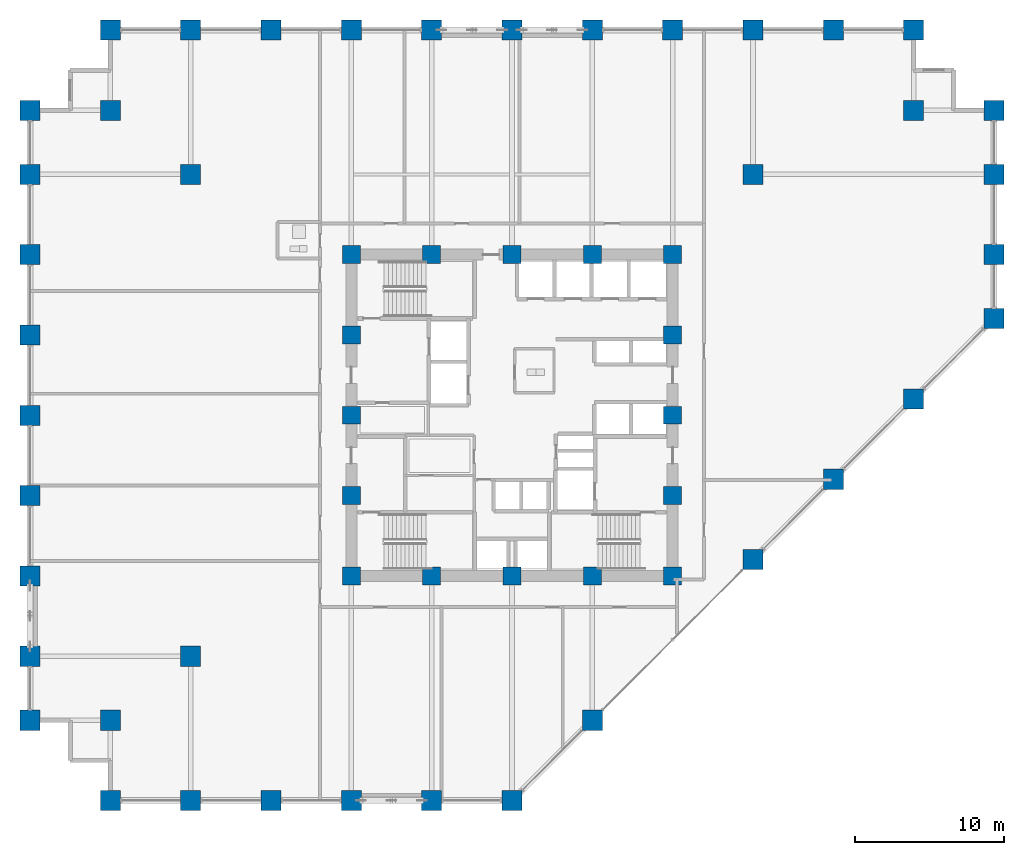
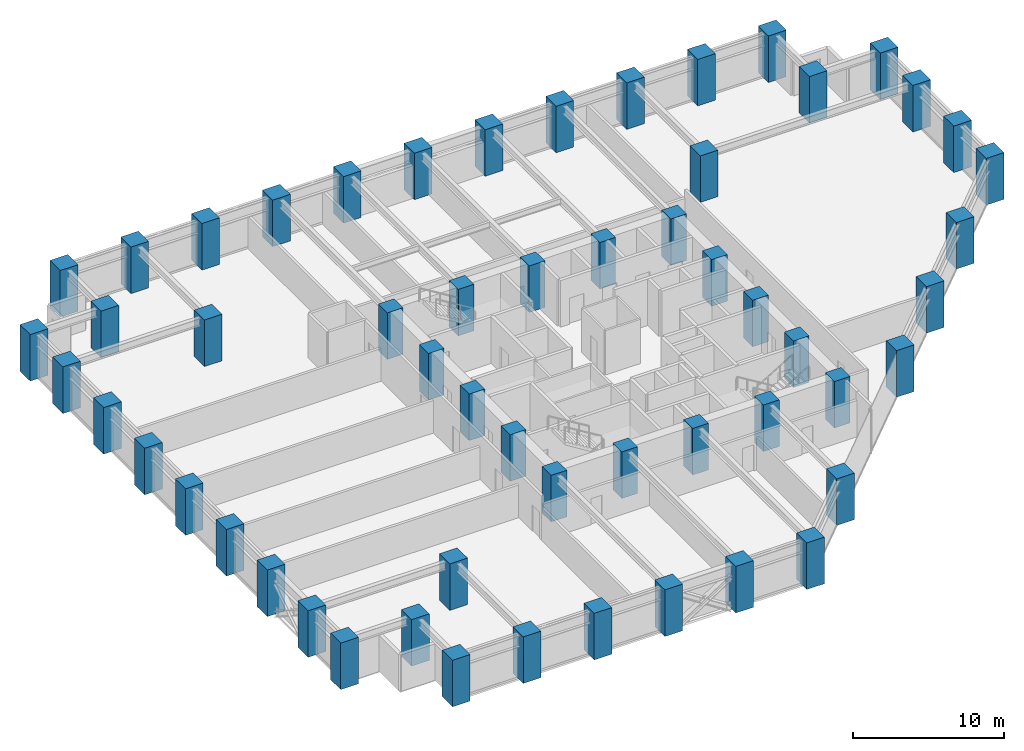
# One storey, part 1 of 24: 56 columns.
"""IFC4 building model written with IfcOpenShell, lengths in metres."""

from ifc_helpers import new_model, si_unit, direction, frame, origin, origin_2d, place, context, subcontext, project, spatial, rectangle, extrude, material, material_profile, profile_set, type_object, element, save


model = new_model("IFC4")

# Units and contexts
model_context = context("Model", 3, precision=1e-05, world=origin(), true_north=direction((0.0, 1.0)))
body_context = subcontext(model_context, "Body", "Model", "MODEL_VIEW")
ifc_project = project(units=[si_unit("LENGTHUNIT", "METRE"), si_unit("AREAUNIT", "SQUARE_METRE"), si_unit("VOLUMEUNIT", "CUBIC_METRE"), si_unit("PLANEANGLEUNIT", "RADIAN"), si_unit("MASSUNIT", "GRAM", prefix="KILO")], contexts=[model_context])

# Site, building, storey
site_placement = place(None, origin())
site = spatial("IfcSite", under=ifc_project, at=site_placement, CompositionType="ELEMENT")
building_placement = place(site_placement, origin())
building = spatial("IfcBuilding", under=site, at=building_placement, Name="Surkhivell Harbour Commons", CompositionType="ELEMENT")
storey_placement = place(building_placement, frame((0.0, 0.0, 30.0)))
storey = spatial("IfcBuildingStorey", under=building, at=storey_placement, Name="L07", CompositionType="ELEMENT", Elevation=30.0)

# Columns
ifc_material = material(Name="Concrete C80/95", Category="concrete")
ifc_material_profile_1 = material_profile(ifc_material, rectangle(XDim=1.35009765625, YDim=1.35009765625, at=origin_2d()), Name="RC-COL-1350x1350")
ifc_profile_set_1 = profile_set([ifc_material_profile_1], Name="Concrete C80/95")
column_type_1 = type_object("IfcColumnType", Name="COL-TUBE-Z1A", PredefinedType="COLUMN", material=ifc_profile_set_1)
for number, where, z_axis, x_axis, name in (
    (1, (-32.39990234375, -20.5, 0.0), (0.0, 0.0, 1.0), (1.0, 0.0, 0.0), "L07 Column CT-1A (-32.4,-20.5)"),
    (2, (-32.39990234375, -16.199951171875, 0.0), (0.0, 0.0, 1.0), (1.0, 0.0, 0.0), "L07 Column CT-1A (-32.4,-16.2)"),
    (3, (-32.39990234375, -10.800048828125, 0.0), (0.0, 0.0, 1.0), (1.0, 0.0, 0.0), "L07 Column CT-1A (-32.4,-10.8)"),
    (4, (-32.39990234375, -5.39990234375, 0.0), (0.0, 0.0, 1.0), (1.0, 0.0, 0.0), "L07 Column CT-1A (-32.4,-5.4)"),
    (5, (-32.39990234375, 0.0, 0.0), (0.0, 0.0, 1.0), (1.0, 0.0, 0.0), "L07 Column CT-1A (-32.4,0.0)"),
    (6, (-32.39990234375, 5.39990234375, 0.0), (0.0, 0.0, 1.0), (1.0, 0.0, 0.0), "L07 Column CT-1A (-32.4,5.4)"),
    (7, (-32.39990234375, 10.800048828125, 0.0), (0.0, 0.0, 1.0), (1.0, 0.0, 0.0), "L07 Column CT-1A (-32.4,10.8)"),
    (8, (-32.39990234375, 16.199951171875, 0.0), (0.0, 0.0, 1.0), (1.0, 0.0, 0.0), "L07 Column CT-1A (-32.4,16.2)"),
    (9, (-32.39990234375, 20.5, 0.0), (0.0, 0.0, 1.0), (1.0, 0.0, 0.0), "L07 Column CT-1A (-32.4,20.5)"),
    (10, (-27.0, -25.89990234375, 0.0), (0.0, 0.0, 1.0), (1.0, 0.0, 0.0), "L07 Column CT-1A (-27.0,-25.9)"),
    (11, (-27.0, -20.5, 0.0), (0.0, 0.0, 1.0), (1.0, 0.0, 0.0), "L07 Column CT-1A (-27.0,-20.5)"),
    (12, (-27.0, 20.5, 0.0), (0.0, 0.0, 1.0), (1.0, 0.0, 0.0), "L07 Column CT-1A (-27.0,20.5)"),
    (13, (-27.0, 25.89990234375, 0.0), (0.0, 0.0, 1.0), (1.0, 0.0, 0.0), "L07 Column CT-1A (-27.0,25.9)"),
    (14, (-21.60009765625, -25.89990234375, 0.0), (0.0, 0.0, 1.0), (1.0, 0.0, 0.0), "L07 Column CT-1A (-21.6,-25.9)"),
    (15, (-21.60009765625, -16.199951171875, 0.0), (0.0, 0.0, 1.0), (1.0, 0.0, 0.0), "L07 Column CT-1A (-21.6,-16.2)"),
    (16, (-21.60009765625, 16.199951171875, 0.0), (0.0, 0.0, 1.0), (1.0, 0.0, 0.0), "L07 Column CT-1A (-21.6,16.2)"),
    (17, (-21.60009765625, 25.89990234375, 0.0), (0.0, 0.0, 1.0), (1.0, 0.0, 0.0), "L07 Column CT-1A (-21.6,25.9)"),
    (18, (-16.199951171875, -25.89990234375, 0.0), (0.0, 0.0, 1.0), (1.0, 0.0, 0.0), "L07 Column CT-1A (-16.2,-25.9)"),
    (19, (-16.199951171875, 25.89990234375, 0.0), (0.0, 0.0, 1.0), (1.0, 0.0, 0.0), "L07 Column CT-1A (-16.2,25.9)"),
    (20, (-10.800048828125, -25.89990234375, 0.0), (0.0, 0.0, 1.0), (1.0, 0.0, 0.0), "L07 Column CT-1A (-10.8,-25.9)"),
    (21, (-10.800048828125, 25.89990234375, 0.0), (0.0, 0.0, 1.0), (1.0, 0.0, 0.0), "L07 Column CT-1A (-10.8,25.9)"),
    (22, (-5.39990234375, -25.89990234375, 0.0), (0.0, 0.0, 1.0), (1.0, 0.0, 0.0), "L07 Column CT-1A (-5.4,-25.9)"),
    (23, (-5.39990234375, 25.89990234375, 0.0), (0.0, 0.0, 1.0), (1.0, 0.0, 0.0), "L07 Column CT-1A (-5.4,25.9)"),
    (24, (0.0, -25.89990234375, 0.0), (0.0, 0.0, 1.0), (1.0, 0.0, 0.0), "L07 Column CT-1A (-0.0,-25.9)"),
    (25, (0.0, 25.89990234375, 0.0), (0.0, 0.0, 1.0), (1.0, 0.0, 0.0), "L07 Column CT-1A (-0.0,25.9)"),
    (26, (5.39990234375, -20.5, 0.0), (0.0, 0.0, 1.0), (1.0, 0.0, 0.0), "L07 Column CT-1A (5.4,-20.5)"),
    (27, (5.39990234375, 25.89990234375, 0.0), (0.0, 0.0, 1.0), (1.0, 0.0, 0.0), "L07 Column CT-1A (5.4,25.9)"),
    (28, (10.800048828125, 25.89990234375, 0.0), (0.0, 0.0, 1.0), (1.0, 0.0, 0.0), "L07 Column CT-1A (10.8,25.9)"),
    (29, (16.199951171875, -9.699951171875, 0.0), (0.0, 0.0, 1.0), (1.0, 0.0, 0.0), "L07 Column CT-1A (16.2,-9.7)"),
    (30, (16.199951171875, 16.199951171875, 0.0), (0.0, 0.0, 1.0), (1.0, 0.0, 0.0), "L07 Column CT-1A (16.2,16.2)"),
    (31, (16.199951171875, 25.89990234375, 0.0), (0.0, 0.0, 1.0), (1.0, 0.0, 0.0), "L07 Column CT-1A (16.2,25.9)"),
    (32, (21.60009765625, -4.300048828125, 0.0), (0.0, 0.0, 1.0), (1.0, 0.0, 0.0), "L07 Column CT-1A (21.6,-4.3)"),
    (33, (21.60009765625, 25.89990234375, 0.0), (0.0, 0.0, 1.0), (1.0, 0.0, 0.0), "L07 Column CT-1A (21.6,25.9)"),
    (34, (27.0, 1.10009765625, 0.0), (0.0, 0.0, 1.0), (1.0, 0.0, 0.0), "L07 Column CT-1A (27.0,1.1)"),
    (35, (27.0, 20.5, 0.0), (0.0, 0.0, 1.0), (1.0, 0.0, 0.0), "L07 Column CT-1A (27.0,20.5)"),
    (36, (27.0, 25.89990234375, 0.0), (0.0, 0.0, 1.0), (1.0, 0.0, 0.0), "L07 Column CT-1A (27.0,25.9)"),
    (37, (32.39990234375, 6.5, 0.0), (0.0, 0.0, 1.0), (1.0, 0.0, 0.0), "L07 Column CT-1A (32.4,6.5)"),
    (38, (32.39990234375, 10.800048828125, 0.0), (0.0, 0.0, 1.0), (1.0, 0.0, 0.0), "L07 Column CT-1A (32.4,10.8)"),
    (39, (32.39990234375, 16.199951171875, 0.0), (0.0, 0.0, 1.0), (1.0, 0.0, 0.0), "L07 Column CT-1A (32.4,16.2)"),
    (40, (32.39990234375, 20.5, 0.0), (0.0, 0.0, 1.0), (1.0, 0.0, 0.0), "L07 Column CT-1A (32.4,20.5)"),
):
    element("IfcColumn", number, at=place(storey_placement, frame(where, z_axis=z_axis, x_axis=x_axis)), inside=storey, type_object=column_type_1, Name=name, PredefinedType="COLUMN", context=body_context, shape_type="SweptSolid", body=[
        extrude(rectangle(XDim=1.35009765625, YDim=1.35009765625, at=origin_2d()), origin(), (0.0, 0.0, 1.0), 3.75),
    ])
ifc_material_profile_2 = material_profile(ifc_material, rectangle(XDim=1.199951171875, YDim=1.199951171875, at=origin_2d()), Name="RC-COL-1200x1200")
ifc_profile_set_2 = profile_set([ifc_material_profile_2], Name="Concrete C80/95")
column_type_2 = type_object("IfcColumnType", Name="COL-TUBE-Z1B", PredefinedType="COLUMN", material=ifc_profile_set_2)
for number, where, z_axis, x_axis, name in (
    (41, (-10.800048828125, -10.800048828125, 0.0), (0.0, 0.0, 1.0), (1.0, 0.0, 0.0), "L07 Column CT-1B (-10.8,-10.8)"),
    (42, (-10.800048828125, -5.39990234375, 0.0), (0.0, 0.0, 1.0), (1.0, 0.0, 0.0), "L07 Column CT-1B (-10.8,-5.4)"),
    (43, (-10.800048828125, 0.0, 0.0), (0.0, 0.0, 1.0), (1.0, 0.0, 0.0), "L07 Column CT-1B (-10.8,0.0)"),
    (44, (-10.800048828125, 5.39990234375, 0.0), (0.0, 0.0, 1.0), (1.0, 0.0, 0.0), "L07 Column CT-1B (-10.8,5.4)"),
    (45, (-10.800048828125, 10.800048828125, 0.0), (0.0, 0.0, 1.0), (1.0, 0.0, 0.0), "L07 Column CT-1B (-10.8,10.8)"),
    (46, (-5.39990234375, -10.800048828125, 0.0), (0.0, 0.0, 1.0), (1.0, 0.0, 0.0), "L07 Column CT-1B (-5.4,-10.8)"),
    (47, (-5.39990234375, 10.800048828125, 0.0), (0.0, 0.0, 1.0), (1.0, 0.0, 0.0), "L07 Column CT-1B (-5.4,10.8)"),
    (48, (0.0, -10.800048828125, 0.0), (0.0, 0.0, 1.0), (1.0, 0.0, 0.0), "L07 Column CT-1B (0.0,-10.8)"),
    (49, (0.0, 10.800048828125, 0.0), (0.0, 0.0, 1.0), (1.0, 0.0, 0.0), "L07 Column CT-1B (0.0,10.8)"),
    (50, (5.39990234375, -10.800048828125, 0.0), (0.0, 0.0, 1.0), (1.0, 0.0, 0.0), "L07 Column CT-1B (5.4,-10.8)"),
    (51, (5.39990234375, 10.800048828125, 0.0), (0.0, 0.0, 1.0), (1.0, 0.0, 0.0), "L07 Column CT-1B (5.4,10.8)"),
    (52, (10.800048828125, -10.800048828125, 0.0), (0.0, 0.0, 1.0), (1.0, 0.0, 0.0), "L07 Column CT-1B (10.8,-10.8)"),
    (53, (10.800048828125, -5.39990234375, 0.0), (0.0, 0.0, 1.0), (1.0, 0.0, 0.0), "L07 Column CT-1B (10.8,-5.4)"),
    (54, (10.800048828125, 0.0, 0.0), (0.0, 0.0, 1.0), (1.0, 0.0, 0.0), "L07 Column CT-1B (10.8,0.0)"),
    (55, (10.800048828125, 5.39990234375, 0.0), (0.0, 0.0, 1.0), (1.0, 0.0, 0.0), "L07 Column CT-1B (10.8,5.4)"),
    (56, (10.800048828125, 10.800048828125, 0.0), (0.0, 0.0, 1.0), (1.0, 0.0, 0.0), "L07 Column CT-1B (10.8,10.8)"),
):
    element("IfcColumn", number, at=place(storey_placement, frame(where, z_axis=z_axis, x_axis=x_axis)), inside=storey, type_object=column_type_2, Name=name, PredefinedType="COLUMN", context=body_context, shape_type="SweptSolid", body=[
        extrude(rectangle(XDim=1.199951171875, YDim=1.199951171875, at=origin_2d()), origin(), (0.0, 0.0, 1.0), 3.75),
    ])

save(model, "model.ifc")
